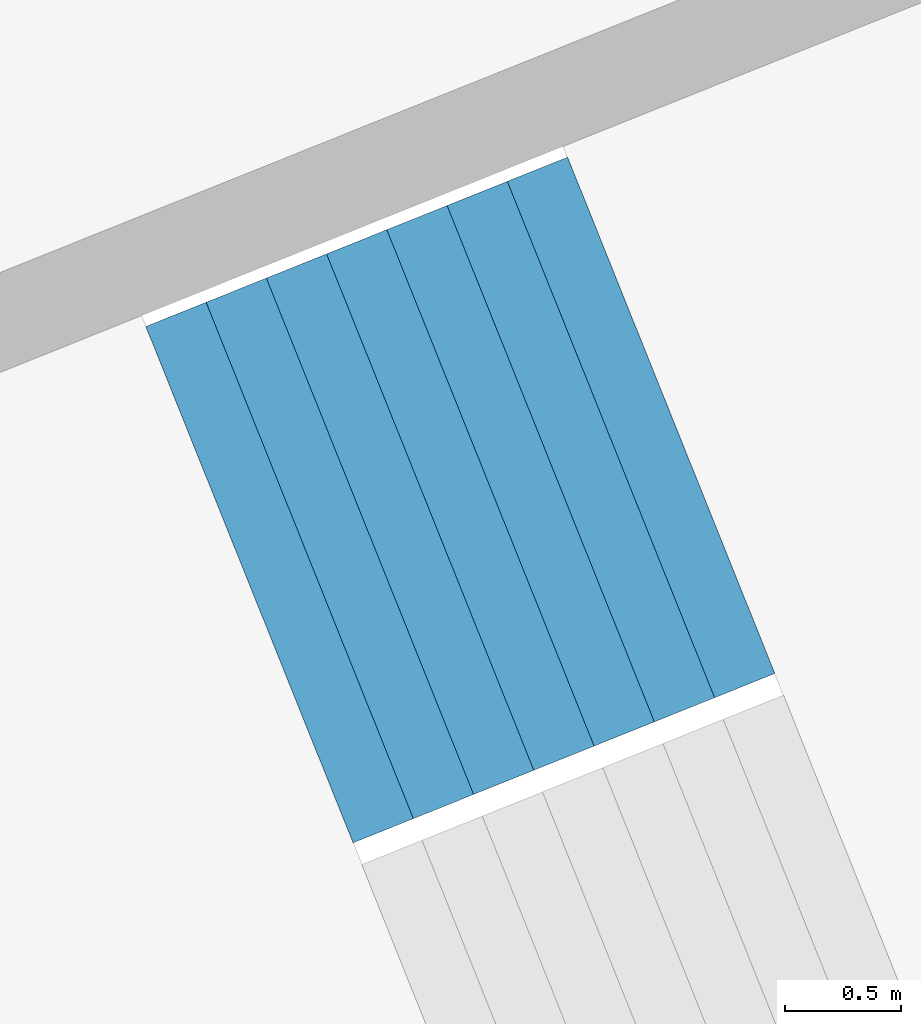
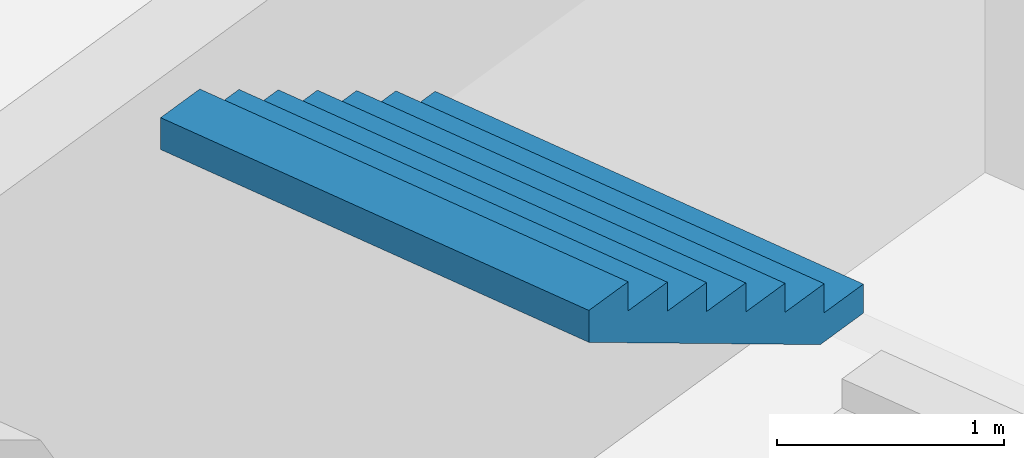
# One storey, part 68 of 73: 1 stair flight, 1 element without a shape of its own.
"""IFC4 building model written with IfcOpenShell, lengths in metres."""

import ifcopenshell
import ifcopenshell.guid

model = None  # the IFC model being written
_history = None  # IfcOwnerHistory: only IFC2X3 demands one
_inside = {}  # id of a spatial element -> (the spatial element, [elements in it])
_under = {}  # id of a project, library or spatial element -> (it, [spatial elements below it])
_declared = {}  # id of a project -> (the project, [libraries it declares])
_typed = {}  # id of a type object -> (the type object, [elements of that type])
_made_of = {}  # id of a material, layer set ... -> (it, [elements and type objects made of it])


def new_model(schema):
    """Start an empty IFC model of exactly this schema.

    Asked for "IFC4X3", IfcOpenShell would pick the latest addendum, in which some entities
    have other attributes; the version numbers below select the first issue.
    IFC2X3 requires an IfcOwnerHistory on every rooted entity: one is made here for all.
    """
    global model, _history
    if schema == "IFC4X3":
        model = ifcopenshell.file(schema_version=(4, 3, 0, 0))
    else:
        model = ifcopenshell.file(schema=schema)
    _inside.clear()
    _under.clear()
    _declared.clear()
    _typed.clear()
    _made_of.clear()
    _history = None
    if model.schema == "IFC2X3":
        org = make("IfcOrganization", Name="unknown")
        user = make(
            "IfcPersonAndOrganization",
            ThePerson=make("IfcPerson", FamilyName="unknown"),
            TheOrganization=org,
        )
        app = make(
            "IfcApplication",
            ApplicationDeveloper=org,
            Version="unknown",
            ApplicationFullName="unknown",
            ApplicationIdentifier="unknown",
        )
        _history = make(
            "IfcOwnerHistory",
            OwningUser=user,
            OwningApplication=app,
            ChangeAction="ADDED",
            CreationDate=0,
        )
    return model


def make(cls, **values):
    """One entity of the class cls with the attributes given. An attribute that is None is left unset."""
    return model.create_entity(
        cls, **{name: value for name, value in values.items() if value is not None}
    )


def rooted(cls, **values):
    """An entity with a GlobalId (a new one), such as an element, a storey or a relation."""
    return make(cls, GlobalId=ifcopenshell.guid.new(), OwnerHistory=_history, **values)


def si_unit(unit_type, name, prefix=None):
    """IfcSIUnit, for example si_unit("LENGTHUNIT", "METRE", prefix="MILLI")."""
    return make("IfcSIUnit", UnitType=unit_type, Prefix=prefix, Name=name)


def assignment(units):
    """IfcUnitAssignment: the units of a project."""
    return None if units is None else make("IfcUnitAssignment", Units=units)


def point(xyz):
    """IfcCartesianPoint."""
    return None if xyz is None else make("IfcCartesianPoint", Coordinates=xyz)


def direction(xyz):
    """IfcDirection."""
    return None if xyz is None else make("IfcDirection", DirectionRatios=xyz)


def frame(location, z_axis=None, x_axis=None):
    """IfcAxis2Placement3D, a coordinate frame: its origin and axes. An axis left out is left unset."""
    return make(
        "IfcAxis2Placement3D",
        Location=point(location),
        Axis=direction(z_axis),
        RefDirection=direction(x_axis),
    )


def origin():
    """The frame at (0, 0, 0) with its axes left unset."""
    return frame((0.0, 0.0, 0.0))


def place(relative_to, where):
    """IfcLocalPlacement: puts the frame where relative to a parent placement (None: the world)."""
    return make(
        "IfcLocalPlacement", PlacementRelTo=relative_to, RelativePlacement=where
    )


def context(
    kind, dimensions, precision=None, world=None, true_north=None, identifier=None
):
    """IfcGeometricRepresentationContext, for example the 3D "Model" context."""
    return make(
        "IfcGeometricRepresentationContext",
        ContextIdentifier=identifier,
        ContextType=kind,
        CoordinateSpaceDimension=dimensions,
        Precision=precision,
        WorldCoordinateSystem=world,
        TrueNorth=true_north,
    )


def subcontext(parent, identifier, kind, view, scale=None):
    """IfcGeometricRepresentationSubContext, for example "Body" below "Model"."""
    return make(
        "IfcGeometricRepresentationSubContext",
        ContextIdentifier=identifier,
        ContextType=kind,
        ParentContext=parent,
        TargetScale=scale,
        TargetView=view,
    )


def project(units=None, contexts=None):
    """IfcProject with its units and contexts."""
    return rooted(
        "IfcProject",
        Name="project",
        RepresentationContexts=contexts,
        UnitsInContext=assignment(units),
    )


def spatial(cls, under=None, at=None, **own):
    """A site, building, storey or space (cls), placed at a placement, below another one or the project."""
    s = rooted(cls, ObjectPlacement=at, **own)
    if under is not None:
        _under.setdefault(under.id(), (under, []))[1].append(s)
    return s


def point_list(points):
    """IfcCartesianPointList2D or 3D."""
    cls = (
        "IfcCartesianPointList2D" if len(points[0]) == 2 else "IfcCartesianPointList3D"
    )
    return make(cls, CoordList=points)


def triangles(points, corners, closed=None, point_numbers=None):
    """IfcTriangulatedFaceSet: each triangle names its three corners, points numbered from 1."""
    return make(
        "IfcTriangulatedFaceSet",
        Coordinates=point_list(points),
        Closed=closed,
        CoordIndex=corners,
        PnIndex=point_numbers,
    )


def shape(context_of_items, identifier, shape_type, items):
    """IfcShapeRepresentation: the items that make up one representation, for example the "Body"."""
    return make(
        "IfcShapeRepresentation",
        ContextOfItems=context_of_items,
        RepresentationIdentifier=identifier,
        RepresentationType=shape_type,
        Items=items,
    )


def material(Name=None, Category=None):
    """IfcMaterial."""
    return make("IfcMaterial", Name=Name, Category=Category)


def made_of(thing, what):
    """Note that an element or type object is made of a material, layer set ...; save() writes the relation."""
    if what is not None:
        _made_of.setdefault(what.id(), (what, []))[1].append(thing)
    return thing


def type_object(cls, material=None, **own):
    """A type object (cls), such as IfcWallType, which elements share."""
    return made_of(rooted(cls, **own), material)


def element(
    cls,
    number,
    at=None,
    inside=None,
    cuts=None,
    type_object=None,
    material=None,
    context=None,
    identifier="Body",
    shape_type=None,
    held_by="IfcProductDefinitionShape",
    body=None,
    shapes=None,
    **own,
):
    """One element of the class cls, such as IfcWall. Its Tag is "e" and its number.

    at: its placement. inside: the storey or other place that contains it. cuts: it is an
    opening in that element (IfcRelVoidsElement). A single representation is given by context,
    identifier, shape_type and body (its items); several are given by shapes. held_by: the class
    of the entity that holds the representations. save() writes the other relations.
    """
    e = rooted(cls, Tag="e%d" % number, ObjectPlacement=at, **own)
    if body is not None:
        shapes = [shape(context, identifier, shape_type, body)]
    if shapes is not None:
        e.Representation = make(held_by, Representations=shapes)
    if inside is not None:
        _inside.setdefault(inside.id(), (inside, []))[1].append(e)
    if cuts is not None:
        rooted(
            "IfcRelVoidsElement", RelatingBuildingElement=cuts, RelatedOpeningElement=e
        )
    if type_object is not None:
        _typed.setdefault(type_object.id(), (type_object, []))[1].append(e)
    return made_of(e, material)


def aggregate(whole, parts):
    """IfcRelAggregates: a whole, such as a stair, and the parts it consists of."""
    return rooted("IfcRelAggregates", RelatingObject=whole, RelatedObjects=parts)


def save(model, path):
    """Write the relations noted so far, then the file.

    IfcRelAggregates (storeys below a building ...), IfcRelContainedInSpatialStructure (elements
    in a storey), IfcRelDefinesByType, IfcRelAssociatesMaterial and IfcRelDeclares: one each for
    every whole, place, type object, material and project.
    """
    for whole, parts in _under.values():
        aggregate(whole, parts)
    for where, things in _inside.values():
        rooted(
            "IfcRelContainedInSpatialStructure",
            RelatedElements=things,
            RelatingStructure=where,
        )
    for kind, things in _typed.values():
        rooted("IfcRelDefinesByType", RelatedObjects=things, RelatingType=kind)
    for what, things in _made_of.values():
        rooted("IfcRelAssociatesMaterial", RelatedObjects=things, RelatingMaterial=what)
    for by, libraries in _declared.values():
        rooted("IfcRelDeclares", RelatingContext=by, RelatedDefinitions=libraries)
    model.write(path)


model = new_model("IFC4")

# Units and contexts
model_context = context("Model", 3, precision=1e-05, world=origin(), true_north=direction((0.0, 1.0)))
body_context = subcontext(model_context, "Body", "Model", "MODEL_VIEW")
ifc_project = project(units=[si_unit("LENGTHUNIT", "METRE"), si_unit("AREAUNIT", "SQUARE_METRE"), si_unit("VOLUMEUNIT", "CUBIC_METRE"), si_unit("PLANEANGLEUNIT", "RADIAN"), si_unit("MASSUNIT", "GRAM", prefix="KILO")], contexts=[model_context])

# Site, building, storey
site_placement = place(None, origin())
site = spatial("IfcSite", under=ifc_project, at=site_placement, CompositionType="ELEMENT")
building_placement = place(site_placement, origin())
building = spatial("IfcBuilding", under=site, at=building_placement, Name="Lantaw Convention Tower", CompositionType="ELEMENT")
storey_placement = place(building_placement, frame((0.0, 0.0, 22.0)))
storey = spatial("IfcBuildingStorey", under=building, at=storey_placement, Name="L03", CompositionType="ELEMENT", Elevation=22.0)

# Stair, stair flight
ifc_material = material(Name="Concrete C35/45", Category="concrete")
stair_type = type_object("IfcStairType", Name="Exit stair 2400 riser 156.25 in 4 flights", PredefinedType="HALF_TURN_STAIR", material=ifc_material)
stair_placement = place(storey_placement, origin())
stair = element("IfcStair", 1, at=stair_placement, inside=storey, type_object=stair_type, Name="Podium exit stair P2 L03", PredefinedType="HALF_TURN_STAIR")
stair_flight_type = type_object("IfcStairFlightType", Name="Stair flight 2400 riser 156.25", PredefinedType="STRAIGHT", material=ifc_material)
stair_flight_placement = place(storey_placement, frame((37.618408203125, 16.448486328125, 3.75), z_axis=(0.0, 0.0, 1.0), x_axis=(-0.928015168305, -0.372542410198, 0.0)))
stair_flight = element("IfcStairFlight", 2, at=stair_flight_placement, type_object=stair_flight_type, Name="P2 flight 4", NumberOfRisers=8, NumberOfTreads=7, PredefinedType="STRAIGHT", RiserHeight=0.15625, TreadLength=0.28, context=body_context, shape_type="Tessellation", body=[
    triangles([(0.0, 1.199951171875, 0.0), (0.0, 1.199951171875, 0.15625), (0.28, 1.199951171875, 0.0), (0.28, 1.199951171875, 0.15625), (0.28, 1.199951171875, 0.3125), (0.3076200632058044, 1.199951171875, 0.0), (0.3076200632058044, 1.199951171875, 0.3125), (0.56, 1.199951171875, 0.14083701830033238), (0.56, 1.199951171875, 0.3125), (0.56, 1.199951171875, 0.46875), (0.8400000000000001, 1.199951171875, 0.29708701830033235), (0.8400000000000001, 1.199951171875, 0.46875), (0.8400000000000001, 1.199951171875, 0.625), (1.12, 1.199951171875, 0.45333701830033235), (1.12, 1.199951171875, 0.625), (1.12, 1.199951171875, 0.78125), (1.4000000000000001, 1.199951171875, 0.6095870183003324), (1.4000000000000001, 1.199951171875, 0.78125), (1.4000000000000001, 1.199951171875, 0.9375), (1.6800000000000002, 1.199951171875, 0.7658370183003324), (1.6800000000000002, 1.199951171875, 0.9375), (1.6800000000000002, 1.199951171875, 1.09375), (1.9600000000000002, 1.199951171875, 0.9220870183003324), (1.9600000000000002, 1.199951171875, 1.09375), (0.0, -1.199951171875, 0.0), (0.0, -1.199951171875, 0.15625), (0.28, -1.199951171875, 0.0), (0.28, -1.199951171875, 0.15625), (0.28, -1.199951171875, 0.3125), (0.3076200632058044, -1.199951171875, 0.0), (0.3076200632058044, -1.199951171875, 0.3125), (0.56, -1.199951171875, 0.14083701830033238), (0.56, -1.199951171875, 0.3125), (0.56, -1.199951171875, 0.46875), (0.8400000000000001, -1.199951171875, 0.29708701830033235), (0.8400000000000001, -1.199951171875, 0.46875), (0.8400000000000001, -1.199951171875, 0.625), (1.12, -1.199951171875, 0.45333701830033235), (1.12, -1.199951171875, 0.625), (1.12, -1.199951171875, 0.78125), (1.4000000000000001, -1.199951171875, 0.6095870183003324), (1.4000000000000001, -1.199951171875, 0.78125), (1.4000000000000001, -1.199951171875, 0.9375), (1.6800000000000002, -1.199951171875, 0.7658370183003324), (1.6800000000000002, -1.199951171875, 0.9375), (1.6800000000000002, -1.199951171875, 1.09375), (1.9600000000000002, -1.199951171875, 0.9220870183003324), (1.9600000000000002, -1.199951171875, 1.09375), (0.0, 0.239990234375, 0.15625), (0.0, 0.239990234375, 0.0), (0.0, 0.1919921875, 0.15625), (0.0, 0.1919921875, 0.0), (0.0, 0.143994140625, 0.15625), (0.0, 0.143994140625, 0.0), (0.0, 0.09599609375, 0.15625), (0.0, 0.09599609375, 0.0), (0.0, 0.047998046875, 0.15625), (0.0, 0.047998046875, 0.0), (0.0, 0.0, 0.15625), (0.0, 0.0, 0.0), (0.0, -0.047998046875, 0.15625), (0.0, -0.047998046875, 0.0), (0.0, -0.09599609375, 0.15625), (0.0, -0.09599609375, 0.0), (0.0, -0.143994140625, 0.15625), (0.0, -0.143994140625, 0.0), (0.0, -0.1919921875, 0.15625), (0.0, -0.1919921875, 0.0), (0.0, -0.239990234375, 0.15625), (0.0, -0.239990234375, 0.0), (0.28, 0.239990234375, 0.3125), (0.28, 0.239990234375, 0.15625), (0.28, 0.1919921875, 0.3125), (0.28, 0.1919921875, 0.15625), (0.28, 0.143994140625, 0.3125), (0.28, 0.143994140625, 0.15625), (0.28, 0.09599609375, 0.3125), (0.28, 0.09599609375, 0.15625), (0.28, 0.047998046875, 0.3125), (0.28, 0.047998046875, 0.15625), (0.28, 0.0, 0.3125), (0.28, 0.0, 0.15625), (0.28, -0.047998046875, 0.3125), (0.28, -0.047998046875, 0.15625), (0.28, -0.09599609375, 0.3125), (0.28, -0.09599609375, 0.15625), (0.28, -0.143994140625, 0.3125), (0.28, -0.143994140625, 0.15625), (0.28, -0.1919921875, 0.3125), (0.28, -0.1919921875, 0.15625), (0.28, -0.239990234375, 0.3125), (0.28, -0.239990234375, 0.15625), (0.56, 0.239990234375, 0.46875), (0.56, 0.239990234375, 0.3125), (0.56, 0.1919921875, 0.46875), (0.56, 0.1919921875, 0.3125), (0.56, 0.143994140625, 0.46875), (0.56, 0.143994140625, 0.3125), (0.56, 0.09599609375, 0.46875), (0.56, 0.09599609375, 0.3125), (0.56, 0.047998046875, 0.46875), (0.56, 0.047998046875, 0.3125), (0.56, 0.0, 0.46875), (0.56, 0.0, 0.3125), (0.56, -0.047998046875, 0.46875), (0.56, -0.047998046875, 0.3125), (0.56, -0.09599609375, 0.46875), (0.56, -0.09599609375, 0.3125), (0.56, -0.143994140625, 0.46875), (0.56, -0.143994140625, 0.3125), (0.56, -0.1919921875, 0.46875), (0.56, -0.1919921875, 0.3125), (0.56, -0.239990234375, 0.46875), (0.56, -0.239990234375, 0.3125), (0.8400000000000001, 0.239990234375, 0.625), (0.8400000000000001, 0.239990234375, 0.46875), (0.8400000000000001, 0.1919921875, 0.625), (0.8400000000000001, 0.1919921875, 0.46875), (0.8400000000000001, 0.143994140625, 0.625), (0.8400000000000001, 0.143994140625, 0.46875), (0.8400000000000001, 0.09599609375, 0.625), (0.8400000000000001, 0.09599609375, 0.46875), (0.8400000000000001, 0.047998046875, 0.625), (0.8400000000000001, 0.047998046875, 0.46875), (0.8400000000000001, 0.0, 0.625), (0.8400000000000001, 0.0, 0.46875), (0.8400000000000001, -0.047998046875, 0.625), (0.8400000000000001, -0.047998046875, 0.46875), (0.8400000000000001, -0.09599609375, 0.625), (0.8400000000000001, -0.09599609375, 0.46875), (0.8400000000000001, -0.143994140625, 0.625), (0.8400000000000001, -0.143994140625, 0.46875), (0.8400000000000001, -0.1919921875, 0.625), (0.8400000000000001, -0.1919921875, 0.46875), (0.8400000000000001, -0.239990234375, 0.625), (0.8400000000000001, -0.239990234375, 0.46875), (1.12, 0.239990234375, 0.78125), (1.12, 0.239990234375, 0.625), (1.12, 0.1919921875, 0.78125), (1.12, 0.1919921875, 0.625), (1.12, 0.143994140625, 0.78125), (1.12, 0.143994140625, 0.625), (1.12, 0.09599609375, 0.78125), (1.12, 0.09599609375, 0.625), (1.12, 0.047998046875, 0.78125), (1.12, 0.047998046875, 0.625), (1.12, 0.0, 0.78125), (1.12, 0.0, 0.625), (1.12, -0.047998046875, 0.78125), (1.12, -0.047998046875, 0.625), (1.12, -0.09599609375, 0.78125), (1.12, -0.09599609375, 0.625), (1.12, -0.143994140625, 0.78125), (1.12, -0.143994140625, 0.625), (1.12, -0.1919921875, 0.78125), (1.12, -0.1919921875, 0.625), (1.12, -0.239990234375, 0.78125), (1.12, -0.239990234375, 0.625), (1.4000000000000001, 0.239990234375, 0.9375), (1.4000000000000001, 0.239990234375, 0.78125), (1.4000000000000001, 0.1919921875, 0.9375), (1.4000000000000001, 0.1919921875, 0.78125), (1.4000000000000001, 0.143994140625, 0.9375), (1.4000000000000001, 0.143994140625, 0.78125), (1.4000000000000001, 0.09599609375, 0.9375), (1.4000000000000001, 0.09599609375, 0.78125), (1.4000000000000001, 0.047998046875, 0.9375), (1.4000000000000001, 0.047998046875, 0.78125), (1.4000000000000001, 0.0, 0.9375), (1.4000000000000001, 0.0, 0.78125), (1.4000000000000001, -0.047998046875, 0.9375), (1.4000000000000001, -0.047998046875, 0.78125), (1.4000000000000001, -0.09599609375, 0.9375), (1.4000000000000001, -0.09599609375, 0.78125), (1.4000000000000001, -0.143994140625, 0.9375), (1.4000000000000001, -0.143994140625, 0.78125), (1.4000000000000001, -0.1919921875, 0.9375), (1.4000000000000001, -0.1919921875, 0.78125), (1.4000000000000001, -0.239990234375, 0.9375), (1.4000000000000001, -0.239990234375, 0.78125), (1.6800000000000002, 0.239990234375, 1.09375), (1.6800000000000002, 0.239990234375, 0.9375), (1.6800000000000002, 0.1919921875, 1.09375), (1.6800000000000002, 0.1919921875, 0.9375), (1.6800000000000002, 0.143994140625, 1.09375), (1.6800000000000002, 0.143994140625, 0.9375), (1.6800000000000002, 0.09599609375, 1.09375), (1.6800000000000002, 0.09599609375, 0.9375), (1.6800000000000002, 0.047998046875, 1.09375), (1.6800000000000002, 0.047998046875, 0.9375), (1.6800000000000002, 0.0, 1.09375), (1.6800000000000002, 0.0, 0.9375), (1.6800000000000002, -0.047998046875, 1.09375), (1.6800000000000002, -0.047998046875, 0.9375), (1.6800000000000002, -0.09599609375, 1.09375), (1.6800000000000002, -0.09599609375, 0.9375), (1.6800000000000002, -0.143994140625, 1.09375), (1.6800000000000002, -0.143994140625, 0.9375), (1.6800000000000002, -0.1919921875, 1.09375), (1.6800000000000002, -0.1919921875, 0.9375), (1.6800000000000002, -0.239990234375, 1.09375), (1.6800000000000002, -0.239990234375, 0.9375), (0.3076200632058044, 0.239990234375, 0.3125), (0.3076200632058044, 0.1919921875, 0.3125), (0.3076200632058044, 0.143994140625, 0.3125), (0.3076200632058044, 0.09599609375, 0.3125), (0.3076200632058044, 0.047998046875, 0.3125), (0.3076200632058044, 0.0, 0.3125), (0.3076200632058044, -0.047998046875, 0.3125), (0.3076200632058044, -0.09599609375, 0.3125), (0.3076200632058044, -0.143994140625, 0.3125), (0.3076200632058044, -0.1919921875, 0.3125), (0.3076200632058044, -0.239990234375, 0.3125), (1.9600000000000002, 0.239990234375, 1.09375), (1.9600000000000002, 0.1919921875, 1.09375), (1.9600000000000002, 0.143994140625, 1.09375), (1.9600000000000002, 0.09599609375, 1.09375), (1.9600000000000002, 0.047998046875, 1.09375), (1.9600000000000002, 0.0, 1.09375), (1.9600000000000002, -0.047998046875, 1.09375), (1.9600000000000002, -0.09599609375, 1.09375), (1.9600000000000002, -0.143994140625, 1.09375), (1.9600000000000002, -0.1919921875, 1.09375), (1.9600000000000002, -0.239990234375, 1.09375), (1.9600000000000002, 0.239990234375, 0.9220870183003324), (1.9600000000000002, 0.1919921875, 0.9220870183003324), (1.9600000000000002, 0.143994140625, 0.9220870183003324), (1.9600000000000002, 0.09599609375, 0.9220870183003324), (1.9600000000000002, 0.047998046875, 0.9220870183003324), (1.9600000000000002, 0.0, 0.9220870183003324), (1.9600000000000002, -0.047998046875, 0.9220870183003324), (1.9600000000000002, -0.09599609375, 0.9220870183003324), (1.9600000000000002, -0.143994140625, 0.9220870183003324), (1.9600000000000002, -0.1919921875, 0.9220870183003324), (1.9600000000000002, -0.239990234375, 0.9220870183003324), (1.6800000000000002, 0.239990234375, 0.7658370183003324), (1.6800000000000002, 0.1919921875, 0.7658370183003324), (1.6800000000000002, 0.143994140625, 0.7658370183003324), (1.6800000000000002, 0.09599609375, 0.7658370183003324), (1.6800000000000002, 0.047998046875, 0.7658370183003324), (1.6800000000000002, 0.0, 0.7658370183003324), (1.6800000000000002, -0.047998046875, 0.7658370183003324), (1.6800000000000002, -0.09599609375, 0.7658370183003324), (1.6800000000000002, -0.143994140625, 0.7658370183003324), (1.6800000000000002, -0.1919921875, 0.7658370183003324), (1.6800000000000002, -0.239990234375, 0.7658370183003324), (1.4000000000000001, 0.239990234375, 0.6095870183003324), (1.4000000000000001, 0.1919921875, 0.6095870183003324), (1.4000000000000001, 0.143994140625, 0.6095870183003324), (1.4000000000000001, 0.09599609375, 0.6095870183003324), (1.4000000000000001, 0.047998046875, 0.6095870183003324), (1.4000000000000001, 0.0, 0.6095870183003324), (1.4000000000000001, -0.047998046875, 0.6095870183003324), (1.4000000000000001, -0.09599609375, 0.6095870183003324), (1.4000000000000001, -0.143994140625, 0.6095870183003324), (1.4000000000000001, -0.1919921875, 0.6095870183003324), (1.4000000000000001, -0.239990234375, 0.6095870183003324), (1.12, 0.239990234375, 0.45333701830033235), (1.12, 0.1919921875, 0.45333701830033235), (1.12, 0.143994140625, 0.45333701830033235), (1.12, 0.09599609375, 0.45333701830033235), (1.12, 0.047998046875, 0.45333701830033235), (1.12, 0.0, 0.45333701830033235), (1.12, -0.047998046875, 0.45333701830033235), (1.12, -0.09599609375, 0.45333701830033235), (1.12, -0.143994140625, 0.45333701830033235), (1.12, -0.1919921875, 0.45333701830033235), (1.12, -0.239990234375, 0.45333701830033235), (0.8400000000000001, 0.239990234375, 0.29708701830033235), (0.8400000000000001, 0.1919921875, 0.29708701830033235), (0.8400000000000001, 0.143994140625, 0.29708701830033235), (0.8400000000000001, 0.09599609375, 0.29708701830033235), (0.8400000000000001, 0.047998046875, 0.29708701830033235), (0.8400000000000001, 0.0, 0.29708701830033235), (0.8400000000000001, -0.047998046875, 0.29708701830033235), (0.8400000000000001, -0.09599609375, 0.29708701830033235), (0.8400000000000001, -0.143994140625, 0.29708701830033235), (0.8400000000000001, -0.1919921875, 0.29708701830033235), (0.8400000000000001, -0.239990234375, 0.29708701830033235), (0.56, 0.239990234375, 0.14083701830033238), (0.56, 0.1919921875, 0.14083701830033238), (0.56, 0.143994140625, 0.14083701830033238), (0.56, 0.09599609375, 0.14083701830033238), (0.56, 0.047998046875, 0.14083701830033238), (0.56, 0.0, 0.14083701830033238), (0.56, -0.047998046875, 0.14083701830033238), (0.56, -0.09599609375, 0.14083701830033238), (0.56, -0.143994140625, 0.14083701830033238), (0.56, -0.1919921875, 0.14083701830033238), (0.56, -0.239990234375, 0.14083701830033238), (0.3076200632058044, 0.239990234375, 0.0), (0.3076200632058044, 0.1919921875, 0.0), (0.3076200632058044, 0.143994140625, 0.0), (0.3076200632058044, 0.09599609375, 0.0), (0.3076200632058044, 0.047998046875, 0.0), (0.3076200632058044, 0.0, 0.0), (0.3076200632058044, -0.047998046875, 0.0), (0.3076200632058044, -0.09599609375, 0.0), (0.3076200632058044, -0.143994140625, 0.0), (0.3076200632058044, -0.1919921875, 0.0), (0.3076200632058044, -0.239990234375, 0.0), (0.28, 0.239990234375, 0.0), (0.28, 0.1919921875, 0.0), (0.28, 0.143994140625, 0.0), (0.28, 0.09599609375, 0.0), (0.28, 0.047998046875, 0.0), (0.28, 0.0, 0.0), (0.28, -0.047998046875, 0.0), (0.28, -0.09599609375, 0.0), (0.28, -0.143994140625, 0.0), (0.28, -0.1919921875, 0.0), (0.28, -0.239990234375, 0.0)], [[1, 4, 3], [1, 2, 4], [3, 4, 6], [4, 7, 6], [4, 5, 7], [6, 9, 8], [6, 7, 9], [8, 9, 11], [9, 12, 11], [9, 10, 12], [11, 12, 14], [12, 15, 14], [12, 13, 15], [14, 15, 17], [15, 18, 17], [15, 16, 18], [17, 18, 20], [18, 21, 20], [18, 19, 21], [20, 21, 23], [21, 24, 23], [21, 22, 24], [25, 27, 28], [25, 28, 26], [27, 30, 28], [28, 30, 31], [28, 31, 29], [30, 32, 33], [30, 33, 31], [32, 35, 33], [33, 35, 36], [33, 36, 34], [35, 38, 36], [36, 38, 39], [36, 39, 37], [38, 41, 39], [39, 41, 42], [39, 42, 40], [41, 44, 42], [42, 44, 45], [42, 45, 43], [44, 47, 45], [45, 47, 48], [45, 48, 46], [1, 49, 2], [1, 50, 49], [50, 51, 49], [50, 52, 51], [52, 53, 51], [52, 54, 53], [54, 55, 53], [54, 56, 55], [56, 57, 55], [56, 58, 57], [58, 59, 57], [58, 60, 59], [60, 61, 59], [60, 62, 61], [62, 63, 61], [62, 64, 63], [64, 65, 63], [64, 66, 65], [66, 67, 65], [66, 68, 67], [68, 69, 67], [68, 70, 69], [70, 26, 69], [70, 25, 26], [4, 71, 5], [4, 72, 71], [72, 73, 71], [72, 74, 73], [74, 75, 73], [74, 76, 75], [76, 77, 75], [76, 78, 77], [78, 79, 77], [78, 80, 79], [80, 81, 79], [80, 82, 81], [82, 83, 81], [82, 84, 83], [84, 85, 83], [84, 86, 85], [86, 87, 85], [86, 88, 87], [88, 89, 87], [88, 90, 89], [90, 91, 89], [90, 92, 91], [92, 29, 91], [92, 28, 29], [9, 93, 10], [9, 94, 93], [94, 95, 93], [94, 96, 95], [96, 97, 95], [96, 98, 97], [98, 99, 97], [98, 100, 99], [100, 101, 99], [100, 102, 101], [102, 103, 101], [102, 104, 103], [104, 105, 103], [104, 106, 105], [106, 107, 105], [106, 108, 107], [108, 109, 107], [108, 110, 109], [110, 111, 109], [110, 112, 111], [112, 113, 111], [112, 114, 113], [114, 34, 113], [114, 33, 34], [12, 115, 13], [12, 116, 115], [116, 117, 115], [116, 118, 117], [118, 119, 117], [118, 120, 119], [120, 121, 119], [120, 122, 121], [122, 123, 121], [122, 124, 123], [124, 125, 123], [124, 126, 125], [126, 127, 125], [126, 128, 127], [128, 129, 127], [128, 130, 129], [130, 131, 129], [130, 132, 131], [132, 133, 131], [132, 134, 133], [134, 135, 133], [134, 136, 135], [136, 37, 135], [136, 36, 37], [15, 137, 16], [15, 138, 137], [138, 139, 137], [138, 140, 139], [140, 141, 139], [140, 142, 141], [142, 143, 141], [142, 144, 143], [144, 145, 143], [144, 146, 145], [146, 147, 145], [146, 148, 147], [148, 149, 147], [148, 150, 149], [150, 151, 149], [150, 152, 151], [152, 153, 151], [152, 154, 153], [154, 155, 153], [154, 156, 155], [156, 157, 155], [156, 158, 157], [158, 40, 157], [158, 39, 40], [18, 159, 19], [18, 160, 159], [160, 161, 159], [160, 162, 161], [162, 163, 161], [162, 164, 163], [164, 165, 163], [164, 166, 165], [166, 167, 165], [166, 168, 167], [168, 169, 167], [168, 170, 169], [170, 171, 169], [170, 172, 171], [172, 173, 171], [172, 174, 173], [174, 175, 173], [174, 176, 175], [176, 177, 175], [176, 178, 177], [178, 179, 177], [178, 180, 179], [180, 43, 179], [180, 42, 43], [21, 181, 22], [21, 182, 181], [182, 183, 181], [182, 184, 183], [184, 185, 183], [184, 186, 185], [186, 187, 185], [186, 188, 187], [188, 189, 187], [188, 190, 189], [190, 191, 189], [190, 192, 191], [192, 193, 191], [192, 194, 193], [194, 195, 193], [194, 196, 195], [196, 197, 195], [196, 198, 197], [198, 199, 197], [198, 200, 199], [200, 201, 199], [200, 202, 201], [202, 46, 201], [202, 45, 46], [2, 72, 4], [2, 49, 72], [49, 74, 72], [49, 51, 74], [51, 76, 74], [51, 53, 76], [53, 78, 76], [53, 55, 78], [55, 80, 78], [55, 57, 80], [57, 82, 80], [57, 59, 82], [59, 84, 82], [59, 61, 84], [61, 86, 84], [61, 63, 86], [63, 88, 86], [63, 65, 88], [65, 90, 88], [65, 67, 90], [67, 92, 90], [67, 69, 92], [69, 28, 92], [69, 26, 28], [5, 203, 7], [5, 71, 203], [71, 204, 203], [71, 73, 204], [73, 205, 204], [73, 75, 205], [75, 206, 205], [75, 77, 206], [77, 207, 206], [77, 79, 207], [79, 208, 207], [79, 81, 208], [81, 209, 208], [81, 83, 209], [83, 210, 209], [83, 85, 210], [85, 211, 210], [85, 87, 211], [87, 212, 211], [87, 89, 212], [89, 213, 212], [89, 91, 213], [91, 31, 213], [91, 29, 31], [7, 94, 9], [7, 203, 94], [203, 96, 94], [203, 204, 96], [204, 98, 96], [204, 205, 98], [205, 100, 98], [205, 206, 100], [206, 102, 100], [206, 207, 102], [207, 104, 102], [207, 208, 104], [208, 106, 104], [208, 209, 106], [209, 108, 106], [209, 210, 108], [210, 110, 108], [210, 211, 110], [211, 112, 110], [211, 212, 112], [212, 114, 112], [212, 213, 114], [213, 33, 114], [213, 31, 33], [10, 116, 12], [10, 93, 116], [93, 118, 116], [93, 95, 118], [95, 120, 118], [95, 97, 120], [97, 122, 120], [97, 99, 122], [99, 124, 122], [99, 101, 124], [101, 126, 124], [101, 103, 126], [103, 128, 126], [103, 105, 128], [105, 130, 128], [105, 107, 130], [107, 132, 130], [107, 109, 132], [109, 134, 132], [109, 111, 134], [111, 136, 134], [111, 113, 136], [113, 36, 136], [113, 34, 36], [13, 138, 15], [13, 115, 138], [115, 140, 138], [115, 117, 140], [117, 142, 140], [117, 119, 142], [119, 144, 142], [119, 121, 144], [121, 146, 144], [121, 123, 146], [123, 148, 146], [123, 125, 148], [125, 150, 148], [125, 127, 150], [127, 152, 150], [127, 129, 152], [129, 154, 152], [129, 131, 154], [131, 156, 154], [131, 133, 156], [133, 158, 156], [133, 135, 158], [135, 39, 158], [135, 37, 39], [16, 160, 18], [16, 137, 160], [137, 162, 160], [137, 139, 162], [139, 164, 162], [139, 141, 164], [141, 166, 164], [141, 143, 166], [143, 168, 166], [143, 145, 168], [145, 170, 168], [145, 147, 170], [147, 172, 170], [147, 149, 172], [149, 174, 172], [149, 151, 174], [151, 176, 174], [151, 153, 176], [153, 178, 176], [153, 155, 178], [155, 180, 178], [155, 157, 180], [157, 42, 180], [157, 40, 42], [19, 182, 21], [19, 159, 182], [159, 184, 182], [159, 161, 184], [161, 186, 184], [161, 163, 186], [163, 188, 186], [163, 165, 188], [165, 190, 188], [165, 167, 190], [167, 192, 190], [167, 169, 192], [169, 194, 192], [169, 171, 194], [171, 196, 194], [171, 173, 196], [173, 198, 196], [173, 175, 198], [175, 200, 198], [175, 177, 200], [177, 202, 200], [177, 179, 202], [179, 45, 202], [179, 43, 45], [22, 214, 24], [22, 181, 214], [181, 215, 214], [181, 183, 215], [183, 216, 215], [183, 185, 216], [185, 217, 216], [185, 187, 217], [187, 218, 217], [187, 189, 218], [189, 219, 218], [189, 191, 219], [191, 220, 219], [191, 193, 220], [193, 221, 220], [193, 195, 221], [195, 222, 221], [195, 197, 222], [197, 223, 222], [197, 199, 223], [199, 224, 223], [199, 201, 224], [201, 48, 224], [201, 46, 48], [24, 225, 23], [24, 214, 225], [214, 226, 225], [214, 215, 226], [215, 227, 226], [215, 216, 227], [216, 228, 227], [216, 217, 228], [217, 229, 228], [217, 218, 229], [218, 230, 229], [218, 219, 230], [219, 231, 230], [219, 220, 231], [220, 232, 231], [220, 221, 232], [221, 233, 232], [221, 222, 233], [222, 234, 233], [222, 223, 234], [223, 235, 234], [223, 224, 235], [224, 47, 235], [224, 48, 47], [23, 236, 20], [23, 225, 236], [225, 237, 236], [225, 226, 237], [226, 238, 237], [226, 227, 238], [227, 239, 238], [227, 228, 239], [228, 240, 239], [228, 229, 240], [229, 241, 240], [229, 230, 241], [230, 242, 241], [230, 231, 242], [231, 243, 242], [231, 232, 243], [232, 244, 243], [232, 233, 244], [233, 245, 244], [233, 234, 245], [234, 246, 245], [234, 235, 246], [235, 44, 246], [235, 47, 44], [20, 247, 17], [20, 236, 247], [236, 248, 247], [236, 237, 248], [237, 249, 248], [237, 238, 249], [238, 250, 249], [238, 239, 250], [239, 251, 250], [239, 240, 251], [240, 252, 251], [240, 241, 252], [241, 253, 252], [241, 242, 253], [242, 254, 253], [242, 243, 254], [243, 255, 254], [243, 244, 255], [244, 256, 255], [244, 245, 256], [245, 257, 256], [245, 246, 257], [246, 41, 257], [246, 44, 41], [17, 258, 14], [17, 247, 258], [247, 259, 258], [247, 248, 259], [248, 260, 259], [248, 249, 260], [249, 261, 260], [249, 250, 261], [250, 262, 261], [250, 251, 262], [251, 263, 262], [251, 252, 263], [252, 264, 263], [252, 253, 264], [253, 265, 264], [253, 254, 265], [254, 266, 265], [254, 255, 266], [255, 267, 266], [255, 256, 267], [256, 268, 267], [256, 257, 268], [257, 38, 268], [257, 41, 38], [14, 269, 11], [14, 258, 269], [258, 270, 269], [258, 259, 270], [259, 271, 270], [259, 260, 271], [260, 272, 271], [260, 261, 272], [261, 273, 272], [261, 262, 273], [262, 274, 273], [262, 263, 274], [263, 275, 274], [263, 264, 275], [264, 276, 275], [264, 265, 276], [265, 277, 276], [265, 266, 277], [266, 278, 277], [266, 267, 278], [267, 279, 278], [267, 268, 279], [268, 35, 279], [268, 38, 35], [11, 280, 8], [11, 269, 280], [269, 281, 280], [269, 270, 281], [270, 282, 281], [270, 271, 282], [271, 283, 282], [271, 272, 283], [272, 284, 283], [272, 273, 284], [273, 285, 284], [273, 274, 285], [274, 286, 285], [274, 275, 286], [275, 287, 286], [275, 276, 287], [276, 288, 287], [276, 277, 288], [277, 289, 288], [277, 278, 289], [278, 290, 289], [278, 279, 290], [279, 32, 290], [279, 35, 32], [8, 291, 6], [8, 280, 291], [280, 292, 291], [280, 281, 292], [281, 293, 292], [281, 282, 293], [282, 294, 293], [282, 283, 294], [283, 295, 294], [283, 284, 295], [284, 296, 295], [284, 285, 296], [285, 297, 296], [285, 286, 297], [286, 298, 297], [286, 287, 298], [287, 299, 298], [287, 288, 299], [288, 300, 299], [288, 289, 300], [289, 301, 300], [289, 290, 301], [290, 30, 301], [290, 32, 30], [6, 302, 3], [6, 291, 302], [291, 303, 302], [291, 292, 303], [292, 304, 303], [292, 293, 304], [293, 305, 304], [293, 294, 305], [294, 306, 305], [294, 295, 306], [295, 307, 306], [295, 296, 307], [296, 308, 307], [296, 297, 308], [297, 309, 308], [297, 298, 309], [298, 310, 309], [298, 299, 310], [299, 311, 310], [299, 300, 311], [300, 312, 311], [300, 301, 312], [301, 27, 312], [301, 30, 27], [3, 50, 1], [3, 302, 50], [302, 52, 50], [302, 303, 52], [303, 54, 52], [303, 304, 54], [304, 56, 54], [304, 305, 56], [305, 58, 56], [305, 306, 58], [306, 60, 58], [306, 307, 60], [307, 62, 60], [307, 308, 62], [308, 64, 62], [308, 309, 64], [309, 66, 64], [309, 310, 66], [310, 68, 66], [310, 311, 68], [311, 70, 68], [311, 312, 70], [312, 25, 70], [312, 27, 25]], closed=True),
])
aggregate(stair, [stair_flight])

save(model, "model.ifc")
